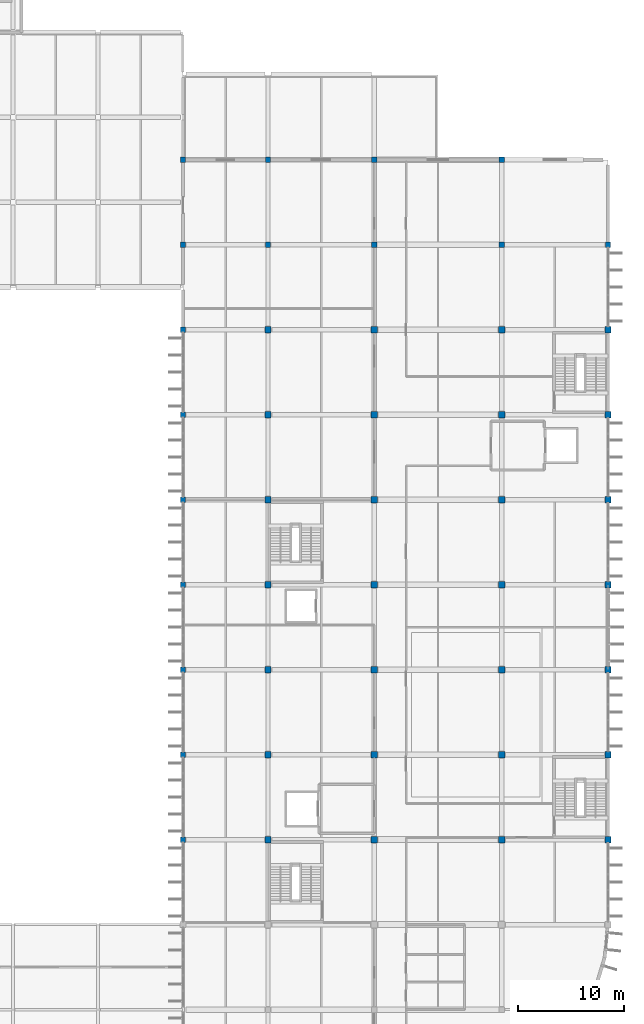
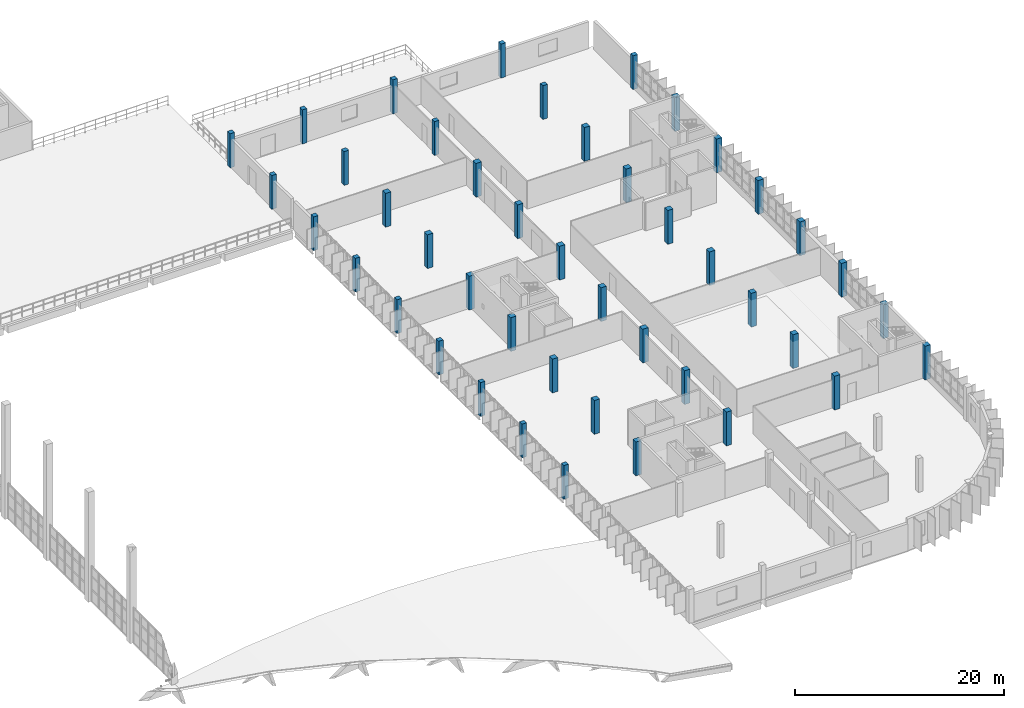
# One storey, part 8 of 66: 44 columns.
"""IFC4 building model written with IfcOpenShell, lengths in metres."""

from ifc_helpers import new_model, si_unit, direction, frame, origin, origin_2d, place, context, subcontext, project, spatial, rectangle, extrude, material, material_profile, profile_set, type_object, element, save


model = new_model("IFC4")

# Units and contexts
model_context = context("Model", 3, precision=1e-05, world=origin(), true_north=direction((0.0, 1.0)))
body_context = subcontext(model_context, "Body", "Model", "MODEL_VIEW")
ifc_project = project(units=[si_unit("LENGTHUNIT", "METRE"), si_unit("AREAUNIT", "SQUARE_METRE"), si_unit("VOLUMEUNIT", "CUBIC_METRE"), si_unit("PLANEANGLEUNIT", "RADIAN"), si_unit("MASSUNIT", "GRAM", prefix="KILO")], contexts=[model_context])

# Site, building, storey
site_placement = place(None, origin())
site = spatial("IfcSite", under=ifc_project, at=site_placement, CompositionType="ELEMENT")
building_placement = place(site_placement, origin())
building = spatial("IfcBuilding", under=site, at=building_placement, Name="Drelvana Railside Aquatics Centre", CompositionType="ELEMENT")
storey_placement = place(building_placement, frame((0.0, 0.0, 10.199951171875)))
storey = spatial("IfcBuildingStorey", under=building, at=storey_placement, Name="L02", CompositionType="ELEMENT", Elevation=10.199951171875)

# Columns
ifc_material = material(Name="Concrete C40/50", Category="concrete")
ifc_material_profile_1 = material_profile(ifc_material, rectangle(XDim=0.5, YDim=0.5, at=origin_2d()), Name="RC 500x500")
ifc_profile_set_1 = profile_set([ifc_material_profile_1], Name="Concrete C40/50")
column_type_1 = type_object("IfcColumnType", Name="STR-COL-RC-500x500", PredefinedType="COLUMN", material=ifc_profile_set_1)
for number, where, z_axis, x_axis, name in (
    (1, (144.0, 32.0, 0.0), (0.0, 0.0, 1.0), (1.0, 0.0, 0.0), "Column C-02 (L02)"),
    (2, (144.0, 40.0, 0.0), (0.0, 0.0, 1.0), (1.0, 0.0, 0.0), "Column C-02 (L02)"),
    (3, (144.0, 48.0, 0.0), (0.0, 0.0, 1.0), (1.0, 0.0, 0.0), "Column C-02 (L02)"),
    (4, (144.0, 56.0, 0.0), (0.0, 0.0, 1.0), (1.0, 0.0, 0.0), "Column C-02 (L02)"),
    (5, (144.0, 64.0, 0.0), (0.0, 0.0, 1.0), (1.0, 0.0, 0.0), "Column C-02 (L02)"),
    (6, (144.0, 72.0, 0.0), (0.0, 0.0, 1.0), (1.0, 0.0, 0.0), "Column C-02 (L02)"),
    (7, (144.0, 80.0, 0.0), (0.0, 0.0, 1.0), (1.0, 0.0, 0.0), "Column C-02 (L02)"),
    (8, (144.0, 88.0, 0.0), (0.0, 0.0, 1.0), (1.0, 0.0, 0.0), "Column C-02 (L02)"),
    (9, (152.0, 88.0, 0.0), (0.0, 0.0, 1.0), (1.0, 0.0, 0.0), "Column C-02 (L02)"),
    (10, (162.0, 88.0, 0.0), (0.0, 0.0, 1.0), (1.0, 0.0, 0.0), "Column C-02 (L02)"),
    (11, (174.0, 88.0, 0.0), (0.0, 0.0, 1.0), (1.0, 0.0, 0.0), "Column C-02 (L02)"),
    (12, (184.0, 88.0, 0.0), (0.0, 0.0, 1.0), (1.0, 0.0, 0.0), "Column C-02 (L02)"),
):
    element("IfcColumn", number, at=place(storey_placement, frame(where, z_axis=z_axis, x_axis=x_axis)), inside=storey, type_object=column_type_1, Name=name, PredefinedType="COLUMN", context=body_context, shape_type="SweptSolid", body=[
        extrude(rectangle(XDim=0.5, YDim=0.5, at=origin_2d()), origin(), (0.0, 0.0, 1.0), 3.9599609375),
    ])
for number, where, z_axis, x_axis, name in (
    (13, (144.0, 96.0, 0.0), (0.0, 0.0, 1.0), (1.0, 0.0, 0.0), "Column C-02 (L02)"),
    (14, (152.0, 96.0, 0.0), (0.0, 0.0, 1.0), (1.0, 0.0, 0.0), "Column C-02 (L02)"),
    (15, (162.0, 96.0, 0.0), (0.0, 0.0, 1.0), (1.0, 0.0, 0.0), "Column C-02 (L02)"),
    (16, (174.0, 96.0, 0.0), (0.0, 0.0, 1.0), (1.0, 0.0, 0.0), "Column C-02 (L02)"),
):
    element("IfcColumn", number, at=place(storey_placement, frame(where, z_axis=z_axis, x_axis=x_axis)), inside=storey, type_object=column_type_1, Name=name, PredefinedType="COLUMN", context=body_context, shape_type="SweptSolid", body=[
        extrude(rectangle(XDim=0.5, YDim=0.5, at=origin_2d()), origin(), (0.0, 0.0, 1.0), 3.989990234375),
    ])
ifc_material_profile_2 = material_profile(ifc_material, rectangle(XDim=0.60009765625, YDim=0.60009765625, at=origin_2d()), Name="RC 600x600")
ifc_profile_set_2 = profile_set([ifc_material_profile_2], Name="Concrete C40/50")
column_type_2 = type_object("IfcColumnType", Name="STR-COL-RC-600x600", PredefinedType="COLUMN", material=ifc_profile_set_2)
for number, where, z_axis, x_axis, name in (
    (17, (152.0, 32.0, 0.0), (0.0, 0.0, 1.0), (1.0, 0.0, 0.0), "Column C-04 (L02)"),
    (18, (162.0, 32.0, 0.0), (0.0, 0.0, 1.0), (1.0, 0.0, 0.0), "Column C-04 (L02)"),
    (19, (174.0, 32.0, 0.0), (0.0, 0.0, 1.0), (1.0, 0.0, 0.0), "Column C-04 (L02)"),
    (20, (184.0, 32.0, 0.0), (0.0, 0.0, 1.0), (1.0, 0.0, 0.0), "Column C-04 (L02)"),
    (21, (152.0, 40.0, 0.0), (0.0, 0.0, 1.0), (1.0, 0.0, 0.0), "Column C-04 (L02)"),
    (22, (162.0, 40.0, 0.0), (0.0, 0.0, 1.0), (1.0, 0.0, 0.0), "Column C-04 (L02)"),
    (23, (174.0, 40.0, 0.0), (0.0, 0.0, 1.0), (1.0, 0.0, 0.0), "Column C-04 (L02)"),
    (24, (184.0, 40.0, 0.0), (0.0, 0.0, 1.0), (1.0, 0.0, 0.0), "Column C-04 (L02)"),
    (25, (152.0, 48.0, 0.0), (0.0, 0.0, 1.0), (1.0, 0.0, 0.0), "Column C-04 (L02)"),
    (26, (162.0, 48.0, 0.0), (0.0, 0.0, 1.0), (1.0, 0.0, 0.0), "Column C-04 (L02)"),
    (27, (174.0, 48.0, 0.0), (0.0, 0.0, 1.0), (1.0, 0.0, 0.0), "Column C-04 (L02)"),
    (28, (184.0, 48.0, 0.0), (0.0, 0.0, 1.0), (1.0, 0.0, 0.0), "Column C-04 (L02)"),
    (29, (152.0, 56.0, 0.0), (0.0, 0.0, 1.0), (1.0, 0.0, 0.0), "Column C-04 (L02)"),
    (30, (162.0, 56.0, 0.0), (0.0, 0.0, 1.0), (1.0, 0.0, 0.0), "Column C-04 (L02)"),
    (31, (174.0, 56.0, 0.0), (0.0, 0.0, 1.0), (1.0, 0.0, 0.0), "Column C-04 (L02)"),
    (32, (184.0, 56.0, 0.0), (0.0, 0.0, 1.0), (1.0, 0.0, 0.0), "Column C-04 (L02)"),
    (33, (152.0, 64.0, 0.0), (0.0, 0.0, 1.0), (1.0, 0.0, 0.0), "Column C-04 (L02)"),
    (34, (162.0, 64.0, 0.0), (0.0, 0.0, 1.0), (1.0, 0.0, 0.0), "Column C-04 (L02)"),
    (35, (174.0, 64.0, 0.0), (0.0, 0.0, 1.0), (1.0, 0.0, 0.0), "Column C-04 (L02)"),
    (36, (184.0, 64.0, 0.0), (0.0, 0.0, 1.0), (1.0, 0.0, 0.0), "Column C-04 (L02)"),
    (37, (152.0, 72.0, 0.0), (0.0, 0.0, 1.0), (1.0, 0.0, 0.0), "Column C-04 (L02)"),
    (38, (162.0, 72.0, 0.0), (0.0, 0.0, 1.0), (1.0, 0.0, 0.0), "Column C-04 (L02)"),
    (39, (174.0, 72.0, 0.0), (0.0, 0.0, 1.0), (1.0, 0.0, 0.0), "Column C-04 (L02)"),
    (40, (184.0, 72.0, 0.0), (0.0, 0.0, 1.0), (1.0, 0.0, 0.0), "Column C-04 (L02)"),
    (41, (152.0, 80.0, 0.0), (0.0, 0.0, 1.0), (1.0, 0.0, 0.0), "Column C-04 (L02)"),
    (42, (162.0, 80.0, 0.0), (0.0, 0.0, 1.0), (1.0, 0.0, 0.0), "Column C-04 (L02)"),
    (43, (174.0, 80.0, 0.0), (0.0, 0.0, 1.0), (1.0, 0.0, 0.0), "Column C-04 (L02)"),
    (44, (184.0, 80.0, 0.0), (0.0, 0.0, 1.0), (1.0, 0.0, 0.0), "Column C-04 (L02)"),
):
    element("IfcColumn", number, at=place(storey_placement, frame(where, z_axis=z_axis, x_axis=x_axis)), inside=storey, type_object=column_type_2, Name=name, PredefinedType="COLUMN", context=body_context, shape_type="SweptSolid", body=[
        extrude(rectangle(XDim=0.60009765625, YDim=0.60009765625, at=origin_2d()), origin(), (0.0, 0.0, 1.0), 3.9599609375),
    ])

save(model, "model.ifc")
